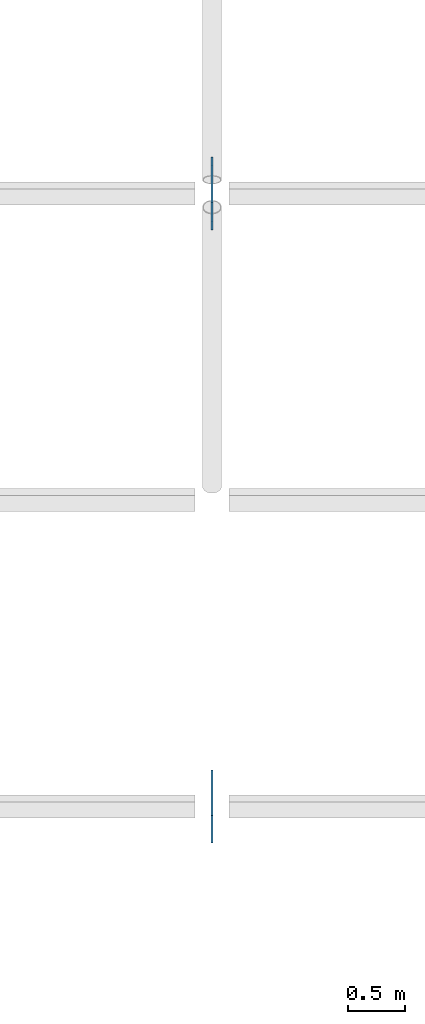
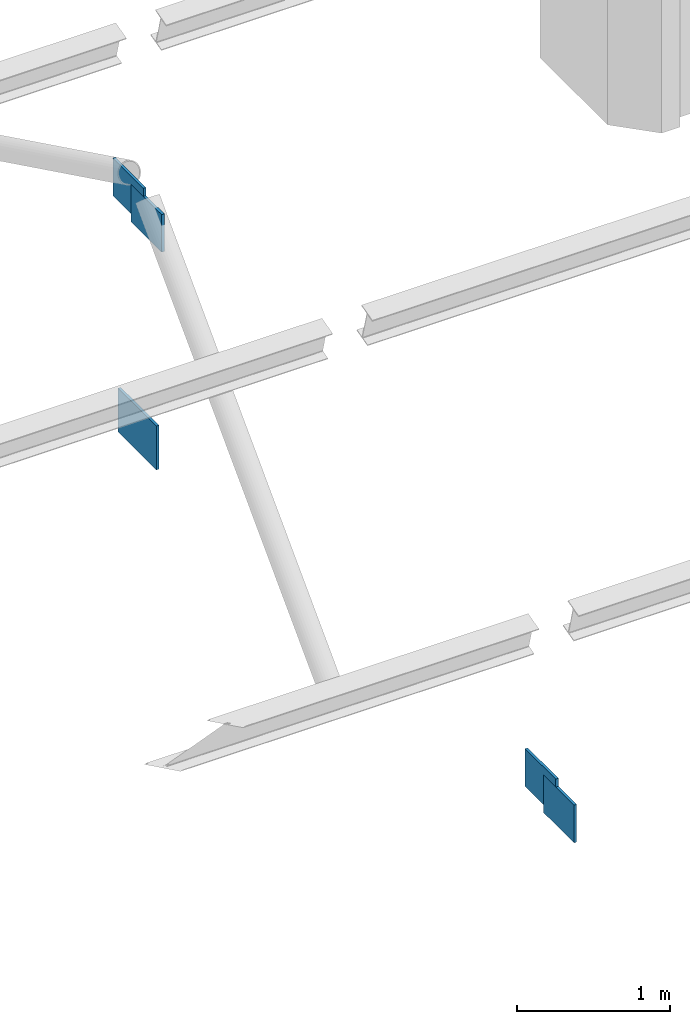
# One storey, part 17 of 23: 5 discrete accessories.
"""IFC4 building model written with IfcOpenShell, lengths in metres."""

import ifcopenshell
import ifcopenshell.guid

model = None  # the IFC model being written
_history = None  # IfcOwnerHistory: only IFC2X3 demands one
_inside = {}  # id of a spatial element -> (the spatial element, [elements in it])
_under = {}  # id of a project, library or spatial element -> (it, [spatial elements below it])
_declared = {}  # id of a project -> (the project, [libraries it declares])
_typed = {}  # id of a type object -> (the type object, [elements of that type])
_made_of = {}  # id of a material, layer set ... -> (it, [elements and type objects made of it])


def new_model(schema):
    """Start an empty IFC model of exactly this schema.

    Asked for "IFC4X3", IfcOpenShell would pick the latest addendum, in which some entities
    have other attributes; the version numbers below select the first issue.
    IFC2X3 requires an IfcOwnerHistory on every rooted entity: one is made here for all.
    """
    global model, _history
    if schema == "IFC4X3":
        model = ifcopenshell.file(schema_version=(4, 3, 0, 0))
    else:
        model = ifcopenshell.file(schema=schema)
    _inside.clear()
    _under.clear()
    _declared.clear()
    _typed.clear()
    _made_of.clear()
    _history = None
    if model.schema == "IFC2X3":
        org = make("IfcOrganization", Name="unknown")
        user = make(
            "IfcPersonAndOrganization",
            ThePerson=make("IfcPerson", FamilyName="unknown"),
            TheOrganization=org,
        )
        app = make(
            "IfcApplication",
            ApplicationDeveloper=org,
            Version="unknown",
            ApplicationFullName="unknown",
            ApplicationIdentifier="unknown",
        )
        _history = make(
            "IfcOwnerHistory",
            OwningUser=user,
            OwningApplication=app,
            ChangeAction="ADDED",
            CreationDate=0,
        )
    return model


def make(cls, **values):
    """One entity of the class cls with the attributes given. An attribute that is None is left unset."""
    return model.create_entity(
        cls, **{name: value for name, value in values.items() if value is not None}
    )


def rooted(cls, **values):
    """An entity with a GlobalId (a new one), such as an element, a storey or a relation."""
    return make(cls, GlobalId=ifcopenshell.guid.new(), OwnerHistory=_history, **values)


def si_unit(unit_type, name, prefix=None):
    """IfcSIUnit, for example si_unit("LENGTHUNIT", "METRE", prefix="MILLI")."""
    return make("IfcSIUnit", UnitType=unit_type, Prefix=prefix, Name=name)


def assignment(units):
    """IfcUnitAssignment: the units of a project."""
    return None if units is None else make("IfcUnitAssignment", Units=units)


def point(xyz):
    """IfcCartesianPoint."""
    return None if xyz is None else make("IfcCartesianPoint", Coordinates=xyz)


def direction(xyz):
    """IfcDirection."""
    return None if xyz is None else make("IfcDirection", DirectionRatios=xyz)


def frame(location, z_axis=None, x_axis=None):
    """IfcAxis2Placement3D, a coordinate frame: its origin and axes. An axis left out is left unset."""
    return make(
        "IfcAxis2Placement3D",
        Location=point(location),
        Axis=direction(z_axis),
        RefDirection=direction(x_axis),
    )


def frame_2d(location, x_axis=None):
    """IfcAxis2Placement2D, a coordinate frame in the plane: its origin and x axis."""
    return make(
        "IfcAxis2Placement2D", Location=point(location), RefDirection=direction(x_axis)
    )


def origin():
    """The frame at (0, 0, 0) with its axes left unset."""
    return frame((0.0, 0.0, 0.0))


def origin_2d():
    """The frame at (0, 0) in the plane with its x axis left unset."""
    return frame_2d((0.0, 0.0))


def place(relative_to, where):
    """IfcLocalPlacement: puts the frame where relative to a parent placement (None: the world)."""
    return make(
        "IfcLocalPlacement", PlacementRelTo=relative_to, RelativePlacement=where
    )


def context(
    kind, dimensions, precision=None, world=None, true_north=None, identifier=None
):
    """IfcGeometricRepresentationContext, for example the 3D "Model" context."""
    return make(
        "IfcGeometricRepresentationContext",
        ContextIdentifier=identifier,
        ContextType=kind,
        CoordinateSpaceDimension=dimensions,
        Precision=precision,
        WorldCoordinateSystem=world,
        TrueNorth=true_north,
    )


def subcontext(parent, identifier, kind, view, scale=None):
    """IfcGeometricRepresentationSubContext, for example "Body" below "Model"."""
    return make(
        "IfcGeometricRepresentationSubContext",
        ContextIdentifier=identifier,
        ContextType=kind,
        ParentContext=parent,
        TargetScale=scale,
        TargetView=view,
    )


def project(units=None, contexts=None):
    """IfcProject with its units and contexts."""
    return rooted(
        "IfcProject",
        Name="project",
        RepresentationContexts=contexts,
        UnitsInContext=assignment(units),
    )


def spatial(cls, under=None, at=None, **own):
    """A site, building, storey or space (cls), placed at a placement, below another one or the project."""
    s = rooted(cls, ObjectPlacement=at, **own)
    if under is not None:
        _under.setdefault(under.id(), (under, []))[1].append(s)
    return s


def profile(cls, at=None, kind="AREA", **sizes):
    """A parametric profile (cls). Its sizes go by their IFC names, for example OverallWidth=200.0."""
    return make(cls, ProfileType=kind, Position=at, **sizes)


def rectangle(**sizes):
    """IfcRectangleProfileDef."""
    return profile("IfcRectangleProfileDef", **sizes)


def extrude(swept, where, along, depth):
    """IfcExtrudedAreaSolid: the profile swept, set in the frame where, extruded along a direction by depth."""
    return make(
        "IfcExtrudedAreaSolid",
        SweptArea=swept,
        Position=where,
        ExtrudedDirection=direction(along),
        Depth=depth,
    )


def shape(context_of_items, identifier, shape_type, items):
    """IfcShapeRepresentation: the items that make up one representation, for example the "Body"."""
    return make(
        "IfcShapeRepresentation",
        ContextOfItems=context_of_items,
        RepresentationIdentifier=identifier,
        RepresentationType=shape_type,
        Items=items,
    )


def material(Name=None, Category=None):
    """IfcMaterial."""
    return make("IfcMaterial", Name=Name, Category=Category)


def layer(
    of_material, thickness, ventilated=None, Name=None, Category=None, Priority=None
):
    """IfcMaterialLayer: one layer of a wall or slab, of a material (None: an air gap)."""
    return make(
        "IfcMaterialLayer",
        Material=of_material,
        LayerThickness=thickness,
        IsVentilated=ventilated,
        Name=Name,
        Category=Category,
        Priority=Priority,
    )


def layer_set(layers, Name=None):
    """IfcMaterialLayerSet."""
    return make("IfcMaterialLayerSet", MaterialLayers=layers, LayerSetName=Name)


def made_of(thing, what):
    """Note that an element or type object is made of a material, layer set ...; save() writes the relation."""
    if what is not None:
        _made_of.setdefault(what.id(), (what, []))[1].append(thing)
    return thing


def type_object(cls, material=None, **own):
    """A type object (cls), such as IfcWallType, which elements share."""
    return made_of(rooted(cls, **own), material)


def element(
    cls,
    number,
    at=None,
    inside=None,
    cuts=None,
    type_object=None,
    material=None,
    context=None,
    identifier="Body",
    shape_type=None,
    held_by="IfcProductDefinitionShape",
    body=None,
    shapes=None,
    **own,
):
    """One element of the class cls, such as IfcWall. Its Tag is "e" and its number.

    at: its placement. inside: the storey or other place that contains it. cuts: it is an
    opening in that element (IfcRelVoidsElement). A single representation is given by context,
    identifier, shape_type and body (its items); several are given by shapes. held_by: the class
    of the entity that holds the representations. save() writes the other relations.
    """
    e = rooted(cls, Tag="e%d" % number, ObjectPlacement=at, **own)
    if body is not None:
        shapes = [shape(context, identifier, shape_type, body)]
    if shapes is not None:
        e.Representation = make(held_by, Representations=shapes)
    if inside is not None:
        _inside.setdefault(inside.id(), (inside, []))[1].append(e)
    if cuts is not None:
        rooted(
            "IfcRelVoidsElement", RelatingBuildingElement=cuts, RelatedOpeningElement=e
        )
    if type_object is not None:
        _typed.setdefault(type_object.id(), (type_object, []))[1].append(e)
    return made_of(e, material)


def aggregate(whole, parts):
    """IfcRelAggregates: a whole, such as a stair, and the parts it consists of."""
    return rooted("IfcRelAggregates", RelatingObject=whole, RelatedObjects=parts)


def save(model, path):
    """Write the relations noted so far, then the file.

    IfcRelAggregates (storeys below a building ...), IfcRelContainedInSpatialStructure (elements
    in a storey), IfcRelDefinesByType, IfcRelAssociatesMaterial and IfcRelDeclares: one each for
    every whole, place, type object, material and project.
    """
    for whole, parts in _under.values():
        aggregate(whole, parts)
    for where, things in _inside.values():
        rooted(
            "IfcRelContainedInSpatialStructure",
            RelatedElements=things,
            RelatingStructure=where,
        )
    for kind, things in _typed.values():
        rooted("IfcRelDefinesByType", RelatedObjects=things, RelatingType=kind)
    for what, things in _made_of.values():
        rooted("IfcRelAssociatesMaterial", RelatedObjects=things, RelatingMaterial=what)
    for by, libraries in _declared.values():
        rooted("IfcRelDeclares", RelatingContext=by, RelatedDefinitions=libraries)
    model.write(path)


model = new_model("IFC4")

# Units and contexts
model_context = context("Model", 3, precision=1e-05, world=origin(), true_north=direction((0.0, 1.0)))
body_context = subcontext(model_context, "Body", "Model", "MODEL_VIEW")
ifc_project = project(units=[si_unit("LENGTHUNIT", "METRE"), si_unit("AREAUNIT", "SQUARE_METRE"), si_unit("VOLUMEUNIT", "CUBIC_METRE"), si_unit("PLANEANGLEUNIT", "RADIAN"), si_unit("MASSUNIT", "GRAM", prefix="KILO")], contexts=[model_context])

# Site, building, storey
site_placement = place(None, origin())
site = spatial("IfcSite", under=ifc_project, at=site_placement, CompositionType="ELEMENT")
building_placement = place(site_placement, origin())
building = spatial("IfcBuilding", under=site, at=building_placement, Name="Tabaq Tower and Sports Hall", CompositionType="ELEMENT")
storey_placement = place(building_placement, frame((0.0, 0.0, 29.10009765625)))
storey = spatial("IfcBuildingStorey", under=building, at=storey_placement, Name="L05", CompositionType="ELEMENT", Elevation=29.10009765625)

# Discrete accessories
ifc_material_1 = material(Name="Steel S355", Category="steel")
ifc_layer_1 = layer(ifc_material_1, 0.02001953125)
ifc_layer_set_1 = layer_set([ifc_layer_1], Name="ROOF TRUSS BEARING PLATE 400x300x20 S355")
discrete_accessory_type_1 = type_object("IfcDiscreteAccessoryType", Name="ROOF TRUSS BEARING PLATE 400x300x20 S355", PredefinedType="ANCHORPLATE", material=ifc_layer_set_1)
for number, where, z_axis, x_axis, name in (
    (1, (118.800048828125, 24.179931640625, 0.80126953125), (0.0, 0.0, 1.0), (1.0, 0.0, 0.0), "Roof truss 4 bearing plate 05"),
    (2, (118.800048828125, 24.419921875, 0.865234375), (0.0, 0.0, 1.0), (1.0, 0.0, 0.0), "Roof truss 4 bearing plate 06"),
    (3, (118.800048828125, 29.580078125, 2.248046875), (0.0, 0.0, 1.0), (1.0, 0.0, 0.0), "Roof truss 4 bearing plate 07"),
    (4, (118.800048828125, 29.820068359375, 2.3125), (0.0, 0.0, 1.0), (1.0, 0.0, 0.0), "Roof truss 4 bearing plate 08"),
):
    element("IfcDiscreteAccessory", number, at=place(storey_placement, frame(where, z_axis=z_axis, x_axis=x_axis)), inside=storey, type_object=discrete_accessory_type_1, Name=name, PredefinedType="ANCHORPLATE", context=body_context, shape_type="SweptSolid", body=[
        extrude(rectangle(XDim=0.02001953125, YDim=0.39990234375, at=origin_2d()), origin(), (0.0, 0.0, 1.0), 0.300048828125),
    ])
ifc_material_2 = material(Name="Steel S355", Category="steel")
ifc_layer_2 = layer(ifc_material_2, 0.02001953125)
ifc_layer_set_2 = layer_set([ifc_layer_2], Name="ROOF TRUSS NODE PLATE 500x350x20 S355")
discrete_accessory_type_2 = type_object("IfcDiscreteAccessoryType", Name="ROOF TRUSS NODE PLATE 500x350x20 S355", PredefinedType="ANCHORPLATE", material=ifc_layer_set_2)
discrete_accessory_placement = place(storey_placement, frame((118.800048828125, 29.699951171875, 0.465087890625), z_axis=(0.0, 0.0, 1.0), x_axis=(1.0, 0.0, 0.0)))
element("IfcDiscreteAccessory", 5, at=discrete_accessory_placement, inside=storey, type_object=discrete_accessory_type_2, Name="Roof truss 4 node plate 08", PredefinedType="ANCHORPLATE", context=body_context, shape_type="SweptSolid", body=[
    extrude(rectangle(XDim=0.02001953125, YDim=0.5, at=origin_2d()), origin(), (0.0, 0.0, 1.0), 0.35009765625),
])

save(model, "model.ifc")
